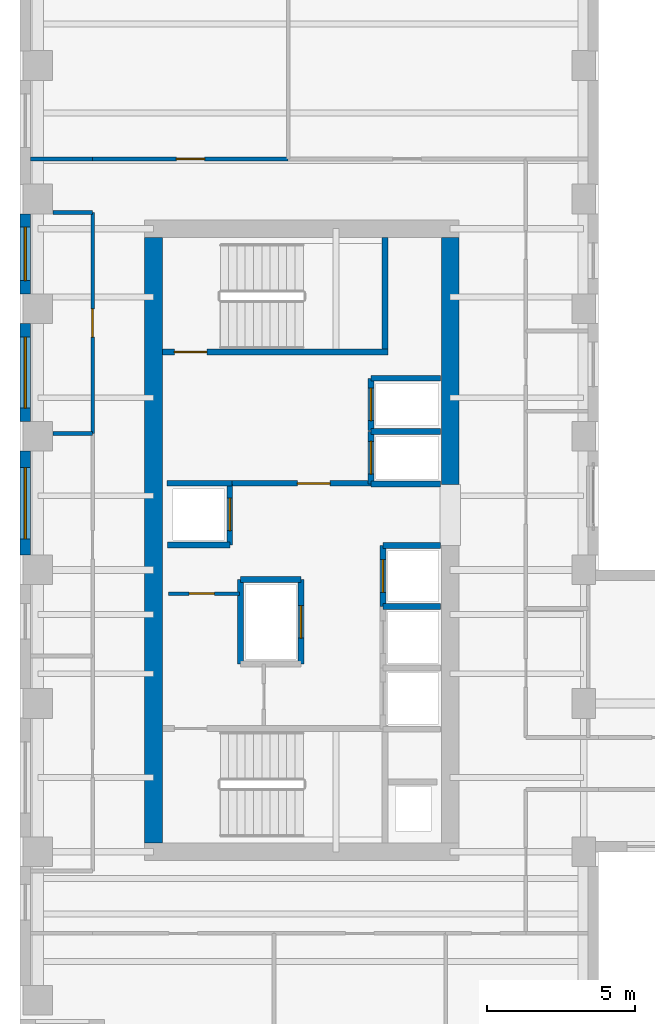
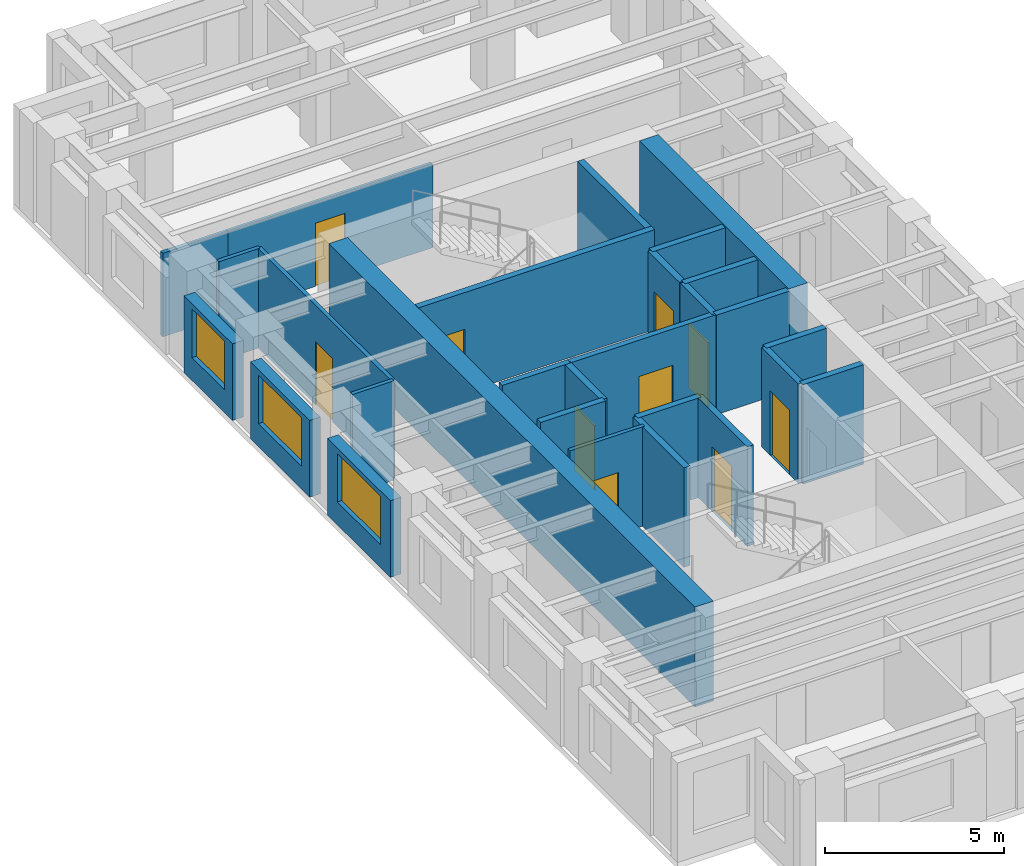
# One storey, part 6 of 11: 28 walls, 10 doors, 3 windows, 13 openings.
"""IFC4 building model written with IfcOpenShell, lengths in metres."""

from ifc_helpers import new_model, si_unit, direction, frame, frame_2d, origin, place, context, subcontext, project, spatial, rectangle, extrude, source, transform, mapped, material, layer, layer_set, type_object, element, fill, save


model = new_model("IFC4")

# Units and contexts
model_context = context("Model", 3, precision=1e-05, world=origin(), true_north=direction((0.0, 1.0)))
body_context = subcontext(model_context, "Body", "Model", "MODEL_VIEW")
ifc_project = project(units=[si_unit("LENGTHUNIT", "METRE"), si_unit("AREAUNIT", "SQUARE_METRE"), si_unit("VOLUMEUNIT", "CUBIC_METRE"), si_unit("PLANEANGLEUNIT", "RADIAN"), si_unit("MASSUNIT", "GRAM", prefix="KILO")], contexts=[model_context])

# Site, building, storey
site_placement = place(None, origin())
site = spatial("IfcSite", under=ifc_project, at=site_placement, CompositionType="ELEMENT")
building_placement = place(site_placement, origin())
building = spatial("IfcBuilding", under=site, at=building_placement, Name="Kharzan Plaza Tower", CompositionType="ELEMENT")
storey_placement = place(building_placement, frame((0.0, 0.0, 182.699951171875)))
storey = spatial("IfcBuildingStorey", under=building, at=storey_placement, Name="L49", CompositionType="ELEMENT", Elevation=182.699951171875)

# Wall, opening, window
ifc_material_1 = material(Name="Concrete C40/50", Category="concrete")
ifc_layer_1 = layer(ifc_material_1, 0.35009765625)
ifc_layer_set_1 = layer_set([ifc_layer_1], Name="Concrete C40/50")
wall_type_1 = type_object("IfcWallType", Name="WL-EXT-MAS-Z3", PredefinedType="SOLIDWALL", material=ifc_layer_set_1)
wall_1_placement = place(storey_placement, frame((0.175048828125, 30.001953125, 0.0), z_axis=(0.0, 0.0, 1.0), x_axis=(0.0, -1.0, 0.0)))
wall_1 = element("IfcWall", 1, at=wall_1_placement, inside=storey, type_object=wall_type_1, Name="L49 Masonry-Frame Exterior Wall 12", PredefinedType="SOLIDWALL", context=body_context, shape_type="SweptSolid", body=[
    extrude(rectangle(XDim=2.703857421875, YDim=0.35009765625, at=frame_2d((1.35205078125, 0.0))), origin(), (0.0, 0.0, 1.0), 2.612060546875),
])
opening_1_placement = place(wall_1_placement, frame((0.451904296875, 0.0, 0.780029296875)))
opening_1 = element("IfcOpeningElement", 2, at=opening_1_placement, cuts=wall_1, Name="Opening W1", PredefinedType="OPENING", context=body_context, shape_type="SweptSolid", body=[
    extrude(rectangle(XDim=1.800048828125, YDim=1.652099609375, at=frame_2d((0.89990234375, 0.826171875))), frame((0.0, 0.18505859375, 0.0), z_axis=(0.0, -1.0, 0.0), x_axis=(1.0, 0.0, 0.0)), (0.0, 0.0, 1.0), 0.3701171875),
])
ifc_material_2 = material(Name="Low-E Double Glazing", Category="glass")
window_type_1 = type_object("IfcWindowType", Name="WN-REC-1800x2100", PartitioningType="SINGLE_PANEL", PredefinedType="WINDOW", material=ifc_material_2)
shared_shape_1 = source(origin(), body_context, "Body", "SweptSolid", [
    extrude(rectangle(XDim=1.800048828125, YDim=1.652099609375, at=frame_2d((0.89990234375, 0.826171875))), frame((0.0, 0.030029296875, 0.0), z_axis=(0.0, -1.0, 0.0), x_axis=(1.0, 0.0, 0.0)), (0.0, 0.0, 1.0), 0.06005859375),
])
window_1_placement = place(opening_1_placement, origin())
window_1 = element("IfcWindow", 3, at=window_1_placement, inside=storey, type_object=window_type_1, Name="L49 Recessed Solar-Control Window 12-1", OverallHeight=1.652099609375, OverallWidth=1.800048828125, PartitioningType="SINGLE_PANEL", PredefinedType="WINDOW", context=body_context, shape_type="MappedRepresentation", body=[
    mapped(shared_shape_1, transform((0.0, 0.0, 0.0), x_axis=(1.0, 0.0, 0.0), y_axis=(0.0, 1.0, 0.0), z_axis=(0.0, 0.0, 1.0))),
])
fill(opening_1, window_1)

wall_2_placement = place(storey_placement, frame((0.175048828125, 26.302001953125, 0.0), z_axis=(0.0, 0.0, 1.0), x_axis=(0.0, -1.0, 0.0)))
wall_2 = element("IfcWall", 4, at=wall_2_placement, inside=storey, type_object=wall_type_1, Name="L49 Masonry-Frame Exterior Wall 13", PredefinedType="SOLIDWALL", context=body_context, shape_type="SweptSolid", body=[
    extrude(rectangle(XDim=3.303955078125, YDim=0.35009765625, at=frame_2d((1.65185546875, 0.0))), origin(), (0.0, 0.0, 1.0), 2.612060546875),
])
opening_2_placement = place(wall_2_placement, frame((0.451904296875, 0.0, 0.780029296875)))
opening_2 = element("IfcOpeningElement", 5, at=opening_2_placement, cuts=wall_2, Name="Opening W2", PredefinedType="OPENING", context=body_context, shape_type="SweptSolid", body=[
    extrude(rectangle(XDim=2.39990234375, YDim=1.652099609375, at=frame_2d((1.199951171875, 0.826171875))), frame((0.0, 0.18505859375, 0.0), z_axis=(0.0, -1.0, 0.0), x_axis=(1.0, 0.0, 0.0)), (0.0, 0.0, 1.0), 0.3701171875),
])
window_type_2 = type_object("IfcWindowType", Name="WN-REC-2400x2100", PartitioningType="SINGLE_PANEL", PredefinedType="WINDOW", material=ifc_material_2)
shared_shape_2 = source(origin(), body_context, "Body", "SweptSolid", [
    extrude(rectangle(XDim=2.39990234375, YDim=1.652099609375, at=frame_2d((1.199951171875, 0.826171875))), frame((0.0, 0.030029296875, 0.0), z_axis=(0.0, -1.0, 0.0), x_axis=(1.0, 0.0, 0.0)), (0.0, 0.0, 1.0), 0.06005859375),
])
window_2_placement = place(opening_2_placement, origin())
window_2 = element("IfcWindow", 6, at=window_2_placement, inside=storey, type_object=window_type_2, Name="L49 Wide Recessed Solar-Control Window 13-1", OverallHeight=1.652099609375, OverallWidth=2.39990234375, PartitioningType="SINGLE_PANEL", PredefinedType="WINDOW", context=body_context, shape_type="MappedRepresentation", body=[
    mapped(shared_shape_2, transform((0.0, 0.0, 0.0), x_axis=(1.0, 0.0, 0.0), y_axis=(0.0, 1.0, 0.0), z_axis=(0.0, 0.0, 1.0))),
])
fill(opening_2, window_2)

wall_3_placement = place(storey_placement, frame((0.175048828125, 22.001953125, 0.0), z_axis=(0.0, 0.0, 1.0), x_axis=(0.0, -1.0, 0.0)))
wall_3 = element("IfcWall", 7, at=wall_3_placement, inside=storey, type_object=wall_type_1, Name="L49 Masonry-Frame Exterior Wall 14", PredefinedType="SOLIDWALL", context=body_context, shape_type="SweptSolid", body=[
    extrude(rectangle(XDim=3.50390625, YDim=0.35009765625, at=frame_2d((1.751953125, 0.0))), origin(), (0.0, 0.0, 1.0), 2.612060546875),
])
opening_3_placement = place(wall_3_placement, frame((0.552001953125, 0.0, 0.780029296875)))
opening_3 = element("IfcOpeningElement", 8, at=opening_3_placement, cuts=wall_3, Name="Opening W2", PredefinedType="OPENING", context=body_context, shape_type="SweptSolid", body=[
    extrude(rectangle(XDim=2.39990234375, YDim=1.652099609375, at=frame_2d((1.199951171875, 0.826171875))), frame((0.0, 0.18505859375, 0.0), z_axis=(0.0, -1.0, 0.0), x_axis=(1.0, 0.0, 0.0)), (0.0, 0.0, 1.0), 0.3701171875),
])
window_3_placement = place(opening_3_placement, origin())
window_3 = element("IfcWindow", 9, at=window_3_placement, inside=storey, type_object=window_type_2, Name="L49 Wide Recessed Solar-Control Window 14-1", OverallHeight=1.652099609375, OverallWidth=2.39990234375, PartitioningType="SINGLE_PANEL", PredefinedType="WINDOW", context=body_context, shape_type="MappedRepresentation", body=[
    mapped(shared_shape_2, transform((0.0, 0.0, 0.0), x_axis=(1.0, 0.0, 0.0), y_axis=(0.0, 1.0, 0.0), z_axis=(0.0, 0.0, 1.0))),
])
fill(opening_3, window_3)

# Wall, opening, door
ifc_layer_2 = layer(ifc_material_1, 0.179931640625)
ifc_layer_set_2 = layer_set([ifc_layer_2], Name="Concrete C40/50")
wall_type_2 = type_object("IfcWallType", Name="WL-INT-FIRE-180", PredefinedType="PARTITIONING", material=ifc_layer_set_2)
wall_4_placement = place(storey_placement, frame((7.14990234375, 20.919921875, 0.0), z_axis=(0.0, 0.0, 1.0), x_axis=(1.0, 0.0, 0.0)))
wall_4 = element("IfcWall", 10, at=wall_4_placement, inside=storey, type_object=wall_type_2, Name="L49 Interior Partition CA-FF-S", PredefinedType="PARTITIONING", context=body_context, shape_type="SweptSolid", body=[
    extrude(rectangle(XDim=4.68017578125, YDim=0.179931640625, at=frame_2d((2.340087890625, 0.0))), origin(), (0.0, 0.0, 1.0), 3.385009765625),
])
opening_4_placement = place(wall_4_placement, frame((2.199951171875, 0.0, 0.0)))
opening_4 = element("IfcOpeningElement", 11, at=opening_4_placement, cuts=wall_4, Name="Opening FD1", PredefinedType="OPENING", context=body_context, shape_type="SweptSolid", body=[
    extrude(rectangle(XDim=1.10009765625, YDim=2.14990234375, at=frame_2d((0.550048828125, 1.074951171875))), frame((0.0, 0.099853515625, 0.0), z_axis=(0.0, -1.0, 0.0), x_axis=(1.0, 0.0, 0.0)), (0.0, 0.0, 1.0), 0.199951171875),
])
ifc_material_3 = material(Name="Fire-Rated Acoustic Vision-Panel Steel", Category="steel")
door_type_1 = type_object("IfcDoorType", Name="DR-FIRE-LOBBY", OperationType="NOTDEFINED", PredefinedType="DOOR", material=ifc_material_3)
shared_shape_3 = source(origin(), body_context, "Body", "SweptSolid", [
    extrude(rectangle(XDim=1.10009765625, YDim=2.14990234375, at=frame_2d((0.550048828125, 1.074951171875))), frame((0.0, 0.02490234375, 0.0), z_axis=(0.0, -1.0, 0.0), x_axis=(1.0, 0.0, 0.0)), (0.0, 0.0, 1.0), 0.050048828125),
])
door_1_placement = place(opening_4_placement, origin())
door_1 = element("IfcDoor", 12, at=door_1_placement, inside=storey, type_object=door_type_1, Name="L49 Firefighting Lobby Door", OperationType="SINGLE_SWING_RIGHT", OverallHeight=2.14990234375, OverallWidth=1.10009765625, PredefinedType="DOOR", context=body_context, shape_type="MappedRepresentation", body=[
    mapped(shared_shape_3, transform((0.0, 0.0, 0.0), x_axis=(1.0, 0.0, 0.0), y_axis=(0.0, 1.0, 0.0), z_axis=(0.0, 0.0, 1.0))),
])
fill(opening_4, door_1)

ifc_material_4 = material(Name="Fire-Rated Gypsum Board Partition", Category="gypsum")
ifc_layer_3 = layer(ifc_material_4, 0.125)
ifc_layer_set_3 = layer_set([ifc_layer_3], Name="Fire-Rated Gypsum Board Partition")
wall_type_3 = type_object("IfcWallType", Name="WL-INT-PART-125", PredefinedType="PARTITIONING", material=ifc_layer_set_3)
wall_5_placement = place(storey_placement, frame((5.0, 17.199951171875, 0.0), z_axis=(0.0, 0.0, 1.0), x_axis=(1.0, 0.0, 0.0)))
wall_5 = element("IfcWall", 13, at=wall_5_placement, inside=storey, type_object=wall_type_3, Name="L49 Interior Partition CA-K1N2", PredefinedType="PARTITIONING", context=body_context, shape_type="SweptSolid", body=[
    extrude(rectangle(XDim=2.39990234375, YDim=0.125, at=frame_2d((1.199951171875, 0.0))), origin(), (0.0, 0.0, 1.0), 3.385009765625),
])
opening_5_placement = place(wall_5_placement, frame((0.699951171875, 0.0, 0.0)))
opening_5 = element("IfcOpeningElement", 14, at=opening_5_placement, cuts=wall_5, Name="Opening RD1", PredefinedType="OPENING", context=body_context, shape_type="SweptSolid", body=[
    extrude(rectangle(XDim=0.85009765625, YDim=2.10009765625, at=frame_2d((0.425048828125, 1.050048828125))), frame((0.0, 0.072509765625, 0.0), z_axis=(0.0, -1.0, 0.0), x_axis=(1.0, 0.0, 0.0)), (0.0, 0.0, 1.0), 0.14501953125),
])
ifc_material_5 = material(Name="Powder-Coated Fire-Rated Steel", Category="steel")
door_type_2 = type_object("IfcDoorType", Name="DR-RISER-900", OperationType="NOTDEFINED", PredefinedType="DOOR", material=ifc_material_5)
shared_shape_4 = source(origin(), body_context, "Body", "SweptSolid", [
    extrude(rectangle(XDim=0.85009765625, YDim=2.10009765625, at=frame_2d((0.425048828125, 1.050048828125))), frame((0.0, 0.02490234375, 0.0), z_axis=(0.0, -1.0, 0.0), x_axis=(1.0, 0.0, 0.0)), (0.0, 0.0, 1.0), 0.050048828125),
])
door_2_placement = place(opening_5_placement, origin())
door_2 = element("IfcDoor", 15, at=door_2_placement, inside=storey, type_object=door_type_2, Name="L49 Core Storage Room Door", OperationType="SINGLE_SWING_LEFT", OverallHeight=2.10009765625, OverallWidth=0.85009765625, PredefinedType="DOOR", context=body_context, shape_type="MappedRepresentation", body=[
    mapped(shared_shape_4, transform((0.0, 0.0, 0.0), x_axis=(1.0, 0.0, 0.0), y_axis=(0.0, 1.0, 0.0), z_axis=(0.0, 0.0, 1.0))),
])
fill(opening_5, door_2)

wall_6_placement = place(storey_placement, frame((2.449951171875, 31.85009765625, 0.0), z_axis=(0.0, 0.0, 1.0), x_axis=(1.0, 0.0, 0.0)))
wall_6 = element("IfcWall", 16, at=wall_6_placement, inside=storey, type_object=wall_type_3, Name="L49 Interior Partition SH-NN-1", PredefinedType="PARTITIONING", context=body_context, shape_type="SweptSolid", body=[
    extrude(rectangle(XDim=6.589111328125, YDim=0.125, at=frame_2d((3.29443359375, 0.0))), origin(), (0.0, 0.0, 1.0), 2.84814453125),
])
opening_6_placement = place(wall_6_placement, frame((2.819580078125, 0.0, 0.0)))
opening_6 = element("IfcOpeningElement", 17, at=opening_6_placement, cuts=wall_6, Name="Opening OD1", PredefinedType="OPENING", context=body_context, shape_type="SweptSolid", body=[
    extrude(rectangle(XDim=0.949951171875, YDim=2.14990234375, at=frame_2d((0.47509765625, 1.074951171875))), frame((0.0, 0.072509765625, 0.0), z_axis=(0.0, -1.0, 0.0), x_axis=(1.0, 0.0, 0.0)), (0.0, 0.0, 1.0), 0.14501953125),
])
ifc_material_6 = material(Name="Acoustic Solid-Core Stained Oak", Category="timber")
door_type_3 = type_object("IfcDoorType", Name="DR-OFF-SINGLE", OperationType="NOTDEFINED", PredefinedType="DOOR", material=ifc_material_6)
shared_shape_5 = source(origin(), body_context, "Body", "SweptSolid", [
    extrude(rectangle(XDim=0.949951171875, YDim=2.14990234375, at=frame_2d((0.47509765625, 1.074951171875))), frame((0.0, 0.02490234375, 0.0), z_axis=(0.0, -1.0, 0.0), x_axis=(1.0, 0.0, 0.0)), (0.0, 0.0, 1.0), 0.050048828125),
])
door_3_placement = place(opening_6_placement, origin())
door_3 = element("IfcDoor", 18, at=door_3_placement, inside=storey, type_object=door_type_3, Name="L49 Physiotherapy Treatment Room Door", OperationType="SINGLE_SWING_RIGHT", OverallHeight=2.14990234375, OverallWidth=0.949951171875, PredefinedType="DOOR", context=body_context, shape_type="MappedRepresentation", body=[
    mapped(shared_shape_5, transform((0.0, 0.0, 0.0), x_axis=(1.0, 0.0, 0.0), y_axis=(0.0, 1.0, 0.0), z_axis=(0.0, 0.0, 1.0))),
])
fill(opening_6, door_3)

wall_7_placement = place(storey_placement, frame((2.449951171875, 22.60009765625, 0.0), z_axis=(0.0, 0.0, 1.0), x_axis=(0.0, 1.0, 0.0)))
wall_7 = element("IfcWall", 19, at=wall_7_placement, inside=storey, type_object=wall_type_3, Name="L49 Interior Partition SH-WW-3", PredefinedType="PARTITIONING", context=body_context, shape_type="SweptSolid", body=[
    extrude(rectangle(XDim=7.449951171875, YDim=0.125, at=frame_2d((3.72509765625, 0.0))), origin(), (0.0, 0.0, 1.0), 3.385009765625),
])
opening_7_placement = place(wall_7_placement, frame((3.25, 0.0, 0.0)))
opening_7 = element("IfcOpeningElement", 20, at=opening_7_placement, cuts=wall_7, Name="Opening OD1", PredefinedType="OPENING", context=body_context, shape_type="SweptSolid", body=[
    extrude(rectangle(XDim=0.949951171875, YDim=2.14990234375, at=frame_2d((0.47509765625, 1.074951171875))), frame((0.0, 0.072509765625, 0.0), z_axis=(0.0, -1.0, 0.0), x_axis=(1.0, 0.0, 0.0)), (0.0, 0.0, 1.0), 0.14501953125),
])
door_4_placement = place(opening_7_placement, origin())
door_4 = element("IfcDoor", 21, at=door_4_placement, inside=storey, type_object=door_type_3, Name="L49 Safety Briefing Room Door", OperationType="SINGLE_SWING_RIGHT", OverallHeight=2.14990234375, OverallWidth=0.949951171875, PredefinedType="DOOR", context=body_context, shape_type="MappedRepresentation", body=[
    mapped(shared_shape_5, transform((0.0, 0.0, 0.0), x_axis=(1.0, 0.0, 0.0), y_axis=(0.0, 1.0, 0.0), z_axis=(0.0, 0.0, 1.0))),
])
fill(opening_7, door_4)

ifc_layer_4 = layer(ifc_material_1, 0.199951171875)
ifc_layer_set_4 = layer_set([ifc_layer_4], Name="Concrete C40/50")
wall_type_4 = type_object("IfcWallType", Name="WL-INT-SHAFT-200", PredefinedType="PARTITIONING", material=ifc_layer_set_4)
wall_8_placement = place(storey_placement, frame((11.830078125, 20.89990234375, 0.0), z_axis=(0.0, 0.0, 1.0), x_axis=(0.0, 1.0, 0.0)))
wall_8 = element("IfcWall", 22, at=wall_8_placement, inside=storey, type_object=wall_type_4, Name="L49 Interior Partition SHF-FFL-1-W", PredefinedType="PARTITIONING", context=body_context, shape_type="SweptSolid", body=[
    extrude(rectangle(XDim=1.760009765625, YDim=0.199951171875, at=frame_2d((0.8798828125, 0.0))), origin(), (0.0, 0.0, 1.0), 3.385009765625),
])
opening_8_placement = place(wall_8_placement, frame((0.330078125, 0.0, 0.0)))
opening_8 = element("IfcOpeningElement", 23, at=opening_8_placement, cuts=wall_8, Name="Opening LD", PredefinedType="OPENING", context=body_context, shape_type="SweptSolid", body=[
    extrude(rectangle(XDim=1.10009765625, YDim=2.199951171875, at=frame_2d((0.550048828125, 1.10009765625))), frame((0.0, 0.10986328125, 0.0), z_axis=(0.0, -1.0, 0.0), x_axis=(1.0, 0.0, 0.0)), (0.0, 0.0, 1.0), 0.219970703125),
])
ifc_material_7 = material(Name="Brushed Stainless Steel", Category="steel")
door_type_4 = type_object("IfcDoorType", Name="DR-LIFT-SLIDE", OperationType="SLIDING_TO_LEFT", PredefinedType="DOOR", material=ifc_material_7)
shared_shape_6 = source(origin(), body_context, "Body", "SweptSolid", [
    extrude(rectangle(XDim=1.10009765625, YDim=2.199951171875, at=frame_2d((0.550048828125, 1.10009765625))), frame((0.0, 0.02490234375, 0.0), z_axis=(0.0, -1.0, 0.0), x_axis=(1.0, 0.0, 0.0)), (0.0, 0.0, 1.0), 0.050048828125),
])
door_5_placement = place(opening_8_placement, origin())
door_5 = element("IfcDoor", 24, at=door_5_placement, inside=storey, type_object=door_type_4, Name="L49 Firefighting Lift FFL-1 Sliding Landing Door", OperationType="SLIDING_TO_LEFT", OverallHeight=2.199951171875, OverallWidth=1.10009765625, PredefinedType="DOOR", context=body_context, shape_type="MappedRepresentation", body=[
    mapped(shared_shape_6, transform((0.0, 0.0, 0.0), x_axis=(1.0, 0.0, 0.0), y_axis=(0.0, 1.0, 0.0), z_axis=(0.0, 0.0, 1.0))),
])
fill(opening_8, door_5)

wall_9_placement = place(storey_placement, frame((11.830078125, 22.699951171875, 0.0), z_axis=(0.0, 0.0, 1.0), x_axis=(0.0, 1.0, 0.0)))
wall_9 = element("IfcWall", 25, at=wall_9_placement, inside=storey, type_object=wall_type_4, Name="L49 Interior Partition SHF-FFL-2-W", PredefinedType="PARTITIONING", context=body_context, shape_type="SweptSolid", body=[
    extrude(rectangle(XDim=1.760009765625, YDim=0.199951171875, at=frame_2d((0.8798828125, 0.0))), origin(), (0.0, 0.0, 1.0), 3.385009765625),
])
opening_9_placement = place(wall_9_placement, frame((0.330078125, 0.0, 0.0)))
opening_9 = element("IfcOpeningElement", 26, at=opening_9_placement, cuts=wall_9, Name="Opening LD", PredefinedType="OPENING", context=body_context, shape_type="SweptSolid", body=[
    extrude(rectangle(XDim=1.10009765625, YDim=2.199951171875, at=frame_2d((0.550048828125, 1.10009765625))), frame((0.0, 0.10986328125, 0.0), z_axis=(0.0, -1.0, 0.0), x_axis=(1.0, 0.0, 0.0)), (0.0, 0.0, 1.0), 0.219970703125),
])
door_6_placement = place(opening_9_placement, origin())
door_6 = element("IfcDoor", 27, at=door_6_placement, inside=storey, type_object=door_type_4, Name="L49 Firefighting Lift FFL-2 Sliding Landing Door", OperationType="SLIDING_TO_LEFT", OverallHeight=2.199951171875, OverallWidth=1.10009765625, PredefinedType="DOOR", context=body_context, shape_type="MappedRepresentation", body=[
    mapped(shared_shape_6, transform((0.0, 0.0, 0.0), x_axis=(1.0, 0.0, 0.0), y_axis=(0.0, 1.0, 0.0), z_axis=(0.0, 0.0, 1.0))),
])
fill(opening_9, door_6)

wall_10_placement = place(storey_placement, frame((12.22998046875, 16.77001953125, 0.0), z_axis=(0.0, 0.0, 1.0), x_axis=(0.0, 1.0, 0.0)))
wall_10 = element("IfcWall", 28, at=wall_10_placement, inside=storey, type_object=wall_type_4, Name="L49 Interior Partition SHF-PL-H3-W", PredefinedType="PARTITIONING", context=body_context, shape_type="SweptSolid", body=[
    extrude(rectangle(XDim=2.050048828125, YDim=0.199951171875, at=frame_2d((1.02490234375, 0.0))), origin(), (0.0, 0.0, 1.0), 3.385009765625),
])
opening_10_placement = place(wall_10_placement, frame((0.47509765625, 0.0, 0.0)))
opening_10 = element("IfcOpeningElement", 29, at=opening_10_placement, cuts=wall_10, Name="Opening LD", PredefinedType="OPENING", context=body_context, shape_type="SweptSolid", body=[
    extrude(rectangle(XDim=1.10009765625, YDim=2.199951171875, at=frame_2d((0.550048828125, 1.10009765625))), frame((0.0, 0.10986328125, 0.0), z_axis=(0.0, -1.0, 0.0), x_axis=(1.0, 0.0, 0.0)), (0.0, 0.0, 1.0), 0.219970703125),
])
door_7_placement = place(opening_10_placement, origin())
door_7 = element("IfcDoor", 30, at=door_7_placement, inside=storey, type_object=door_type_4, Name="L49 High-Rise Passenger Lift PL-H3 Sliding Landing Door", OperationType="SLIDING_TO_LEFT", OverallHeight=2.199951171875, OverallWidth=1.10009765625, PredefinedType="DOOR", context=body_context, shape_type="MappedRepresentation", body=[
    mapped(shared_shape_6, transform((0.0, 0.0, 0.0), x_axis=(1.0, 0.0, 0.0), y_axis=(0.0, 1.0, 0.0), z_axis=(0.0, 0.0, 1.0))),
])
fill(opening_10, door_7)

wall_11_placement = place(storey_placement, frame((7.070068359375, 18.840087890625, 0.0), z_axis=(0.0, 0.0, 1.0), x_axis=(0.0, 1.0, 0.0)))
wall_11 = element("IfcWall", 31, at=wall_11_placement, inside=storey, type_object=wall_type_4, Name="L49 Interior Partition SHF-PL-H4-E", PredefinedType="PARTITIONING", context=body_context, shape_type="SweptSolid", body=[
    extrude(rectangle(XDim=2.059814453125, YDim=0.199951171875, at=frame_2d((1.02978515625, 0.0))), origin(), (0.0, 0.0, 1.0), 3.385009765625),
])
opening_11_placement = place(wall_11_placement, frame((0.47998046875, 0.0, 0.0)))
opening_11 = element("IfcOpeningElement", 32, at=opening_11_placement, cuts=wall_11, Name="Opening LD", PredefinedType="OPENING", context=body_context, shape_type="SweptSolid", body=[
    extrude(rectangle(XDim=1.10009765625, YDim=2.199951171875, at=frame_2d((0.550048828125, 1.10009765625))), frame((0.0, 0.10986328125, 0.0), z_axis=(0.0, -1.0, 0.0), x_axis=(1.0, 0.0, 0.0)), (0.0, 0.0, 1.0), 0.219970703125),
])
door_8_placement = place(opening_11_placement, origin())
door_8 = element("IfcDoor", 33, at=door_8_placement, inside=storey, type_object=door_type_4, Name="L49 High-Rise Passenger Lift PL-H4 Sliding Landing Door", OperationType="SLIDING_TO_LEFT", OverallHeight=2.199951171875, OverallWidth=1.10009765625, PredefinedType="DOOR", context=body_context, shape_type="MappedRepresentation", body=[
    mapped(shared_shape_6, transform((0.0, 0.0, 0.0), x_axis=(1.0, 0.0, 0.0), y_axis=(0.0, 1.0, 0.0), z_axis=(0.0, 0.0, 1.0))),
])
fill(opening_11, door_8)

wall_12_placement = place(storey_placement, frame((9.469970703125, 14.830078125, 0.0), z_axis=(0.0, 0.0, 1.0), x_axis=(0.0, 1.0, 0.0)))
wall_12 = element("IfcWall", 34, at=wall_12_placement, inside=storey, type_object=wall_type_4, Name="L49 Interior Partition SHF-SVL-1-E", PredefinedType="PARTITIONING", context=body_context, shape_type="SweptSolid", body=[
    extrude(rectangle(XDim=2.83984375, YDim=0.199951171875, at=frame_2d((1.419921875, 0.0))), origin(), (0.0, 0.0, 1.0), 3.385009765625),
])
opening_12_placement = place(wall_12_placement, frame((0.8701171875, 0.0, 0.0)))
opening_12 = element("IfcOpeningElement", 35, at=opening_12_placement, cuts=wall_12, Name="Opening LD", PredefinedType="OPENING", context=body_context, shape_type="SweptSolid", body=[
    extrude(rectangle(XDim=1.10009765625, YDim=2.199951171875, at=frame_2d((0.550048828125, 1.10009765625))), frame((0.0, 0.10986328125, 0.0), z_axis=(0.0, -1.0, 0.0), x_axis=(1.0, 0.0, 0.0)), (0.0, 0.0, 1.0), 0.219970703125),
])
door_9_placement = place(opening_12_placement, origin())
door_9 = element("IfcDoor", 36, at=door_9_placement, inside=storey, type_object=door_type_4, Name="L49 Service Lift SVL-1 Sliding Landing Door", OperationType="SLIDING_TO_LEFT", OverallHeight=2.199951171875, OverallWidth=1.10009765625, PredefinedType="DOOR", context=body_context, shape_type="MappedRepresentation", body=[
    mapped(shared_shape_6, transform((0.0, 0.0, 0.0), x_axis=(1.0, 0.0, 0.0), y_axis=(0.0, 1.0, 0.0), z_axis=(0.0, 0.0, 1.0))),
])
fill(opening_12, door_9)

ifc_material_8 = material(Name="Concrete C50/60", Category="concrete")
ifc_layer_5 = layer(ifc_material_8, 0.199951171875)
ifc_layer_set_5 = layer_set([ifc_layer_5], Name="Concrete C50/60")
wall_type_5 = type_object("IfcWallType", Name="WL-SHAFT-RC200", PredefinedType="SHEAR", material=ifc_layer_set_5)
wall_13_placement = place(storey_placement, frame((4.802001953125, 25.344970703125, 0.0), z_axis=(0.0, 0.0, 1.0), x_axis=(1.0, 0.0, 0.0)))
wall_13 = element("IfcWall", 37, at=wall_13_placement, inside=storey, type_object=wall_type_5, Name="L49 Stair ST-2 South RC Shaft Wall", PredefinedType="SHEAR", context=body_context, shape_type="SweptSolid", body=[
    extrude(rectangle(XDim=7.60302734375, YDim=0.199951171875, at=frame_2d((3.801513671875, 0.0))), origin(), (0.0, 0.0, 1.0), 3.400146484375),
])
opening_13_placement = place(wall_13_placement, frame((0.39990234375, 0.0, 0.0)))
opening_13 = element("IfcOpeningElement", 38, at=opening_13_placement, cuts=wall_13, Name="Opening SD1", PredefinedType="OPENING", context=body_context, shape_type="SweptSolid", body=[
    extrude(rectangle(XDim=1.10009765625, YDim=2.14990234375, at=frame_2d((0.550048828125, 1.074951171875))), frame((0.0, 0.10986328125, 0.0), z_axis=(0.0, -1.0, 0.0), x_axis=(1.0, 0.0, 0.0)), (0.0, 0.0, 1.0), 0.219970703125),
])
ifc_material_9 = material(Name="Fire-Rated Hollow Galvanized Steel", Category="steel")
door_type_5 = type_object("IfcDoorType", Name="DR-STAIR-FD120", OperationType="NOTDEFINED", PredefinedType="DOOR", material=ifc_material_9)
shared_shape_7 = source(origin(), body_context, "Body", "SweptSolid", [
    extrude(rectangle(XDim=1.10009765625, YDim=2.14990234375, at=frame_2d((0.550048828125, 1.074951171875))), frame((0.0, 0.02490234375, 0.0), z_axis=(0.0, -1.0, 0.0), x_axis=(1.0, 0.0, 0.0)), (0.0, 0.0, 1.0), 0.050048828125),
])
door_10_placement = place(opening_13_placement, origin())
door_10 = element("IfcDoor", 39, at=door_10_placement, inside=storey, type_object=door_type_5, Name="L49 Stair ST-2 Fire Exit Door", OperationType="SINGLE_SWING_LEFT", OverallHeight=2.14990234375, OverallWidth=1.10009765625, PredefinedType="DOOR", context=body_context, shape_type="MappedRepresentation", body=[
    mapped(shared_shape_7, transform((0.0, 0.0, 0.0), x_axis=(1.0, 0.0, 0.0), y_axis=(0.0, 1.0, 0.0), z_axis=(0.0, 0.0, 1.0))),
])
fill(opening_13, door_10)

# Walls
shared_shape_8 = source(origin(), body_context, "Body", "SweptSolid", [
    extrude(rectangle(XDim=2.199951171875, YDim=0.179931640625, at=frame_2d((1.10009765625, 0.0))), origin(), (0.0, 0.0, 1.0), 3.385009765625),
])
wall_14_placement = place(storey_placement, frame((4.949951171875, 20.919921875, 0.0), z_axis=(0.0, 0.0, 1.0), x_axis=(1.0, 0.0, 0.0)))
element("IfcWall", 40, at=wall_14_placement, inside=storey, type_object=wall_type_2, Name="L49 Interior Partition CA-FF-SW", PredefinedType="PARTITIONING", context=body_context, shape_type="MappedRepresentation", body=[
    mapped(shared_shape_8, transform((0.0, 0.0, 0.0), x_axis=(1.0, 0.0, 0.0), y_axis=(0.0, 1.0, 0.0), z_axis=(0.0, 0.0, 1.0))),
])
shared_shape_9 = source(origin(), body_context, "Body", "SweptSolid", [
    extrude(rectangle(XDim=2.33984375, YDim=0.199951171875, at=frame_2d((1.169921875, 0.0))), origin(), (0.0, 0.0, 1.0), 3.385009765625),
])
for number, where, z_axis, x_axis, name in (
    (41, (11.830078125, 22.659912109375, 0.0), (0.0, 0.0, 1.0), (1.0, 0.0, 0.0), "L49 Interior Partition SHF-FFL-1-N"),
    (42, (11.830078125, 20.89990234375, 0.0), (0.0, 0.0, 1.0), (1.0, 0.0, 0.0), "L49 Interior Partition SHF-FFL-1-S"),
    (43, (11.830078125, 24.4599609375, 0.0), (0.0, 0.0, 1.0), (1.0, 0.0, 0.0), "L49 Interior Partition SHF-FFL-2-N"),
):
    element("IfcWall", number, at=place(storey_placement, frame(where, z_axis=z_axis, x_axis=x_axis)), inside=storey, type_object=wall_type_4, Name=name, PredefinedType="PARTITIONING", context=body_context, shape_type="MappedRepresentation", body=[
        mapped(shared_shape_9, transform((0.0, 0.0, 0.0), x_axis=(1.0, 0.0, 0.0), y_axis=(0.0, 1.0, 0.0), z_axis=(0.0, 0.0, 1.0))),
    ])
shared_shape_10 = source(origin(), body_context, "Body", "SweptSolid", [
    extrude(rectangle(XDim=1.93994140625, YDim=0.199951171875, at=frame_2d((0.969970703125, 0.0))), origin(), (0.0, 0.0, 1.0), 3.385009765625),
])
for number, where, z_axis, x_axis, name in (
    (44, (12.22998046875, 16.77001953125, 0.0), (0.0, 0.0, 1.0), (1.0, 0.0, 0.0), "L49 Interior Partition SHF-PL-H2-N"),
    (45, (12.22998046875, 18.820068359375, 0.0), (0.0, 0.0, 1.0), (1.0, 0.0, 0.0), "L49 Interior Partition SHF-PL-H3-N"),
):
    element("IfcWall", number, at=place(storey_placement, frame(where, z_axis=z_axis, x_axis=x_axis)), inside=storey, type_object=wall_type_4, Name=name, PredefinedType="PARTITIONING", context=body_context, shape_type="MappedRepresentation", body=[
        mapped(shared_shape_10, transform((0.0, 0.0, 0.0), x_axis=(1.0, 0.0, 0.0), y_axis=(0.0, 1.0, 0.0), z_axis=(0.0, 0.0, 1.0))),
    ])
shared_shape_11 = source(origin(), body_context, "Body", "SweptSolid", [
    extrude(rectangle(XDim=2.090087890625, YDim=0.199951171875, at=frame_2d((1.044921875, 0.0))), origin(), (0.0, 0.0, 1.0), 3.385009765625),
])
wall_15_placement = place(storey_placement, frame((4.97998046875, 18.840087890625, 0.0), z_axis=(0.0, 0.0, 1.0), x_axis=(1.0, 0.0, 0.0)))
element("IfcWall", 46, at=wall_15_placement, inside=storey, type_object=wall_type_4, Name="L49 Interior Partition SHF-PL-H4-S", PredefinedType="PARTITIONING", context=body_context, shape_type="MappedRepresentation", body=[
    mapped(shared_shape_11, transform((0.0, 0.0, 0.0), x_axis=(1.0, 0.0, 0.0), y_axis=(0.0, 1.0, 0.0), z_axis=(0.0, 0.0, 1.0))),
])
shared_shape_12 = source(origin(), body_context, "Body", "SweptSolid", [
    extrude(rectangle(XDim=2.0400390625, YDim=0.199951171875, at=frame_2d((1.02001953125, 0.0))), origin(), (0.0, 0.0, 1.0), 3.385009765625),
])
wall_16_placement = place(storey_placement, frame((7.429931640625, 17.669921875, 0.0), z_axis=(0.0, 0.0, 1.0), x_axis=(1.0, 0.0, 0.0)))
element("IfcWall", 47, at=wall_16_placement, inside=storey, type_object=wall_type_4, Name="L49 Interior Partition SHF-SVL-1-N", PredefinedType="PARTITIONING", context=body_context, shape_type="MappedRepresentation", body=[
    mapped(shared_shape_12, transform((0.0, 0.0, 0.0), x_axis=(1.0, 0.0, 0.0), y_axis=(0.0, 1.0, 0.0), z_axis=(0.0, 0.0, 1.0))),
])
shared_shape_13 = source(origin(), body_context, "Body", "SweptSolid", [
    extrude(rectangle(XDim=2.83984375, YDim=0.199951171875, at=frame_2d((1.419921875, 0.0))), origin(), (0.0, 0.0, 1.0), 3.385009765625),
])
wall_17_placement = place(storey_placement, frame((7.429931640625, 14.830078125, 0.0), z_axis=(0.0, 0.0, 1.0), x_axis=(0.0, 1.0, 0.0)))
element("IfcWall", 48, at=wall_17_placement, inside=storey, type_object=wall_type_4, Name="L49 Interior Partition SHF-SVL-1-W", PredefinedType="PARTITIONING", context=body_context, shape_type="MappedRepresentation", body=[
    mapped(shared_shape_13, transform((0.0, 0.0, 0.0), x_axis=(1.0, 0.0, 0.0), y_axis=(0.0, 1.0, 0.0), z_axis=(0.0, 0.0, 1.0))),
])
ifc_layer_6 = layer(ifc_material_8, 0.60009765625)
ifc_layer_set_6 = layer_set([ifc_layer_6], Name="Concrete C50/60")
wall_type_6 = type_object("IfcWallType", Name="WL-CORE-600", PredefinedType="SHEAR", material=ifc_layer_set_6)
shared_shape_14 = source(origin(), body_context, "Body", "SweptSolid", [
    extrude(rectangle(XDim=8.320068359375, YDim=0.60009765625, at=frame_2d((4.16015625, 0.0))), origin(), (0.0, 0.0, 1.0), 3.400146484375),
])
wall_18_placement = place(storey_placement, frame((14.5, 20.8798828125, 0.0), z_axis=(0.0, 0.0, 1.0), x_axis=(0.0, 1.0, 0.0)))
element("IfcWall", 49, at=wall_18_placement, inside=storey, type_object=wall_type_6, Name="L49 CORE-A east shear pier 2", PredefinedType="SHEAR", context=body_context, shape_type="MappedRepresentation", body=[
    mapped(shared_shape_14, transform((0.0, 0.0, 0.0), x_axis=(1.0, 0.0, 0.0), y_axis=(0.0, 1.0, 0.0), z_axis=(0.0, 0.0, 1.0))),
])
shared_shape_15 = source(origin(), body_context, "Body", "SweptSolid", [
    extrude(rectangle(XDim=20.39990234375, YDim=0.60009765625, at=frame_2d((10.199951171875, 0.0))), origin(), (0.0, 0.0, 1.0), 3.400146484375),
])
wall_19_placement = place(storey_placement, frame((4.5, 8.800048828125, 0.0), z_axis=(0.0, 0.0, 1.0), x_axis=(0.0, 1.0, 0.0)))
element("IfcWall", 50, at=wall_19_placement, inside=storey, type_object=wall_type_6, Name="L49 CORE-A west RC shear wall", PredefinedType="SHEAR", context=body_context, shape_type="MappedRepresentation", body=[
    mapped(shared_shape_15, transform((0.0, 0.0, 0.0), x_axis=(1.0, 0.0, 0.0), y_axis=(0.0, 1.0, 0.0), z_axis=(0.0, 0.0, 1.0))),
])
shared_shape_16 = source(origin(), body_context, "Body", "SweptSolid", [
    extrude(rectangle(XDim=1.329833984375, YDim=0.125, at=frame_2d((0.6650390625, 0.0))), origin(), (0.0, 0.0, 1.0), 3.385009765625),
])
for number, where, z_axis, x_axis, name in (
    (51, (1.1201171875, 30.050048828125, 0.0), (0.0, 0.0, 1.0), (1.0, 0.0, 0.0), "L49 Interior Partition SH-RWN0"),
    (52, (1.1201171875, 22.60009765625, 0.0), (0.0, 0.0, 1.0), (1.0, 0.0, 0.0), "L49 Interior Partition SH-WH-2"),
):
    element("IfcWall", number, at=place(storey_placement, frame(where, z_axis=z_axis, x_axis=x_axis)), inside=storey, type_object=wall_type_3, Name=name, PredefinedType="PARTITIONING", context=body_context, shape_type="MappedRepresentation", body=[
        mapped(shared_shape_16, transform((0.0, 0.0, 0.0), x_axis=(1.0, 0.0, 0.0), y_axis=(0.0, 1.0, 0.0), z_axis=(0.0, 0.0, 1.0))),
    ])
shared_shape_17 = source(origin(), body_context, "Body", "SweptSolid", [
    extrude(rectangle(XDim=3.7529296875, YDim=0.199951171875, at=frame_2d((1.87646484375, 0.0))), origin(), (0.0, 0.0, 1.0), 3.400146484375),
])
wall_20_placement = place(storey_placement, frame((12.304931640625, 25.445068359375, 0.0), z_axis=(0.0, 0.0, 1.0), x_axis=(0.0, 1.0, 0.0)))
element("IfcWall", 53, at=wall_20_placement, inside=storey, type_object=wall_type_5, Name="L49 Stair ST-2 East RC Shaft Wall", PredefinedType="SHEAR", context=body_context, shape_type="MappedRepresentation", body=[
    mapped(shared_shape_17, transform((0.0, 0.0, 0.0), x_axis=(1.0, 0.0, 0.0), y_axis=(0.0, 1.0, 0.0), z_axis=(0.0, 0.0, 1.0))),
])
shared_shape_18 = source(origin(), body_context, "Body", "SweptSolid", [
    extrude(rectangle(XDim=2.097900390625, YDim=0.125, at=frame_2d((1.048828125, 0.0))), origin(), (0.0, 0.0, 1.0), 2.84814453125),
])
wall_21_placement = place(storey_placement, frame((0.35205078125, 31.85009765625, 0.0), z_axis=(0.0, 0.0, 1.0), x_axis=(1.0, 0.0, 0.0)))
element("IfcWall", 54, at=wall_21_placement, inside=storey, type_object=wall_type_3, Name="L49 Interior Partition SH-NNW0", PredefinedType="PARTITIONING", context=body_context, shape_type="MappedRepresentation", body=[
    mapped(shared_shape_18, transform((0.0, 0.0, 0.0), x_axis=(1.0, 0.0, 0.0), y_axis=(0.0, 1.0, 0.0), z_axis=(0.0, 0.0, 1.0))),
])

save(model, "model.ifc")
